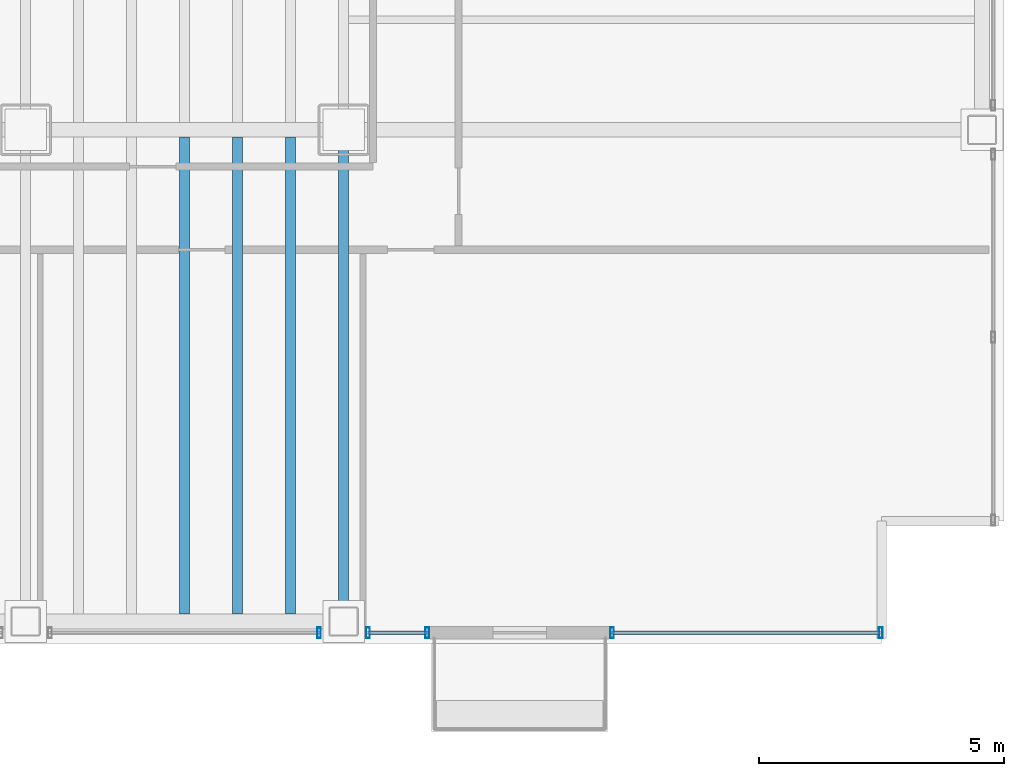
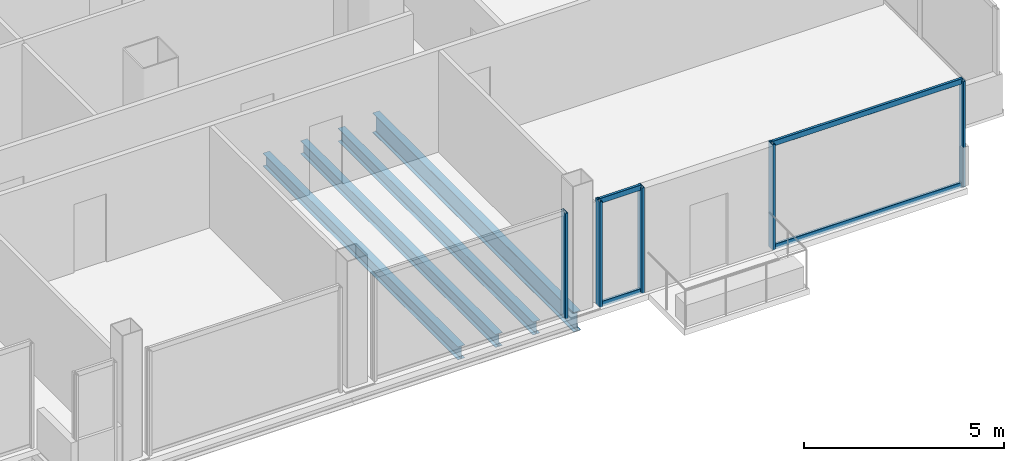
# One storey, part 9 of 22: 9 members, 4 beams, 3 elements without a shape of their own.
"""IFC4 building model written with IfcOpenShell, lengths in metres."""

from ifc_helpers import new_model, si_unit, direction, frame, origin, origin_2d, place, context, subcontext, project, spatial, hollow_rectangle, i_section, extrude, material, material_profile, profile_set, type_object, element, aggregate, save


model = new_model("IFC4")

# Units and contexts
model_context = context("Model", 3, precision=1e-05, world=origin(), true_north=direction((0.0, 1.0)))
body_context = subcontext(model_context, "Body", "Model", "MODEL_VIEW")
ifc_project = project(units=[si_unit("LENGTHUNIT", "METRE"), si_unit("AREAUNIT", "SQUARE_METRE"), si_unit("VOLUMEUNIT", "CUBIC_METRE"), si_unit("PLANEANGLEUNIT", "RADIAN"), si_unit("MASSUNIT", "GRAM", prefix="KILO")], contexts=[model_context])

# Site, building, storey
site_placement = place(None, origin())
site = spatial("IfcSite", under=ifc_project, at=site_placement, CompositionType="ELEMENT")
building_placement = place(site_placement, origin())
building = spatial("IfcBuilding", under=site, at=building_placement, Name="Noeulbin Bourse Tower", CompositionType="ELEMENT")
storey_placement = place(building_placement, frame((0.0, 0.0, 88.89990234375)))
storey = spatial("IfcBuildingStorey", under=building, at=storey_placement, Name="L22", CompositionType="ELEMENT", Elevation=88.89990234375)

# Beams
ifc_material_1 = material(Name="Steel S355", Category="steel")
ifc_material_profile_1 = material_profile(ifc_material_1, i_section(OverallWidth=0.199951171875, OverallDepth=0.60009765625, WebThickness=0.010986328125, FlangeThickness=0.01708984375, FilletRadius=0.02197265625, at=origin_2d()), Name="H-600x200x11x17", Category="LoadBearing")
ifc_profile_set_1 = profile_set([ifc_material_profile_1], Name="Steel S355")
beam_type_1 = type_object("IfcBeamType", Name="BM-GRD-600", PredefinedType="USERDEFINED", material=ifc_profile_set_1)
beam_placement = place(storey_placement, frame((44.0, 9.949951171875, -0.47998046875), z_axis=(0.0, 1.0, 0.0), x_axis=(-1.0, 0.0, 0.0)))
element("IfcBeam", 1, at=beam_placement, inside=storey, type_object=beam_type_1, Name="Tower Primary Girder NS L22-5.1", ObjectType="GIRDER", PredefinedType="USERDEFINED", context=body_context, shape_type="SweptSolid", body=[
    extrude(i_section(OverallWidth=0.199951171875, OverallDepth=0.60009765625, WebThickness=0.010986328125, FlangeThickness=0.01708984375, FilletRadius=0.02197265625, at=origin_2d()), origin(), (0.0, 0.0, 1.0), 10.050048828125),
])
ifc_material_profile_2 = material_profile(ifc_material_1, i_section(OverallWidth=0.199951171875, OverallDepth=0.39990234375, WebThickness=0.008056640625, FlangeThickness=0.012939453125, FilletRadius=0.01611328125, at=origin_2d()), Name="H-400x200x8x13", Category="LoadBearing")
ifc_profile_set_2 = profile_set([ifc_material_profile_2], Name="Steel S355")
beam_type_2 = type_object("IfcBeamType", Name="BM-SEC-400", PredefinedType="BEAM", material=ifc_profile_set_2)
for number, where, z_axis, x_axis, name in (
    (2, (40.75, 10.10009765625, -0.3798828125), (0.0, 1.0, 0.0), (-1.0, 0.0, 0.0), "Tower Composite Joist L22-61"),
    (3, (41.833251953125, 10.10009765625, -0.3798828125), (0.0, 1.0, 0.0), (-1.0, 0.0, 0.0), "Tower Composite Joist L22-64"),
    (4, (42.916748046875, 10.10009765625, -0.3798828125), (0.0, 1.0, 0.0), (-1.0, 0.0, 0.0), "Tower Composite Joist L22-67"),
):
    element("IfcBeam", number, at=place(storey_placement, frame(where, z_axis=z_axis, x_axis=x_axis)), inside=storey, type_object=beam_type_2, Name=name, PredefinedType="BEAM", context=body_context, shape_type="SweptSolid", body=[
        extrude(i_section(OverallWidth=0.199951171875, OverallDepth=0.39990234375, WebThickness=0.008056640625, FlangeThickness=0.012939453125, FilletRadius=0.01611328125, at=origin_2d()), origin(), (0.0, 0.0, 1.0), 9.75),
    ])

# Curtain wall, member
ifc_material_2 = material(Name="Dark Solar-Control Double Glazing", Category="glass")
curtain_wall_type = type_object("IfcCurtainWallType", Name="CW-SYS-2", PredefinedType="NOTDEFINED", material=ifc_material_2)
curtain_wall_1_placement = place(storey_placement, origin())
curtain_wall_1 = element("IfcCurtainWall", 5, at=curtain_wall_1_placement, inside=storey, type_object=curtain_wall_type, Name="Unitised Curtain Wall CW-L22-S2-S3", PredefinedType="NOTDEFINED")
ifc_material_3 = material(Name="Anodised Aluminium 6063-T6", Category="aluminium")
ifc_material_profile_3 = material_profile(ifc_material_3, hollow_rectangle(XDim=0.074951171875, YDim=0.219970703125, WallThickness=0.0048828125, InnerFilletRadius=0.00244140625, OuterFilletRadius=0.0048828125, at=origin_2d()), Name="ALU-MULL-75x220x5", Category="LoadBearing")
ifc_profile_set_3 = profile_set([ifc_material_profile_3], Name="Anodised Aluminium 6063-T6")
member_type_1 = type_object("IfcMemberType", Name="CW-SYS-2-MUL", PredefinedType="MULLION", material=ifc_profile_set_3)
member_1_placement = place(storey_placement, frame((43.5, 9.719970703125, -0.02001953125), z_axis=(0.0, 0.0, 1.0), x_axis=(1.0, 0.0, 0.0)))
member_1 = element("IfcMember", 6, at=member_1_placement, type_object=member_type_1, Name="Curtain Wall Mullion CW-L22-S2-S3-M01", PredefinedType="MULLION", context=body_context, shape_type="SweptSolid", body=[
    extrude(hollow_rectangle(XDim=0.074951171875, YDim=0.219970703125, WallThickness=0.0048828125, InnerFilletRadius=0.00244140625, OuterFilletRadius=0.0048828125, at=origin_2d()), origin(), (0.0, 0.0, 1.0), 3.22021484375),
])
aggregate(curtain_wall_1, [member_1])

# Curtain wall, members
curtain_wall_2_placement = place(storey_placement, origin())
curtain_wall_2 = element("IfcCurtainWall", 7, at=curtain_wall_2_placement, inside=storey, type_object=curtain_wall_type, Name="Unitised Curtain Wall CW-L22-S2-S4", PredefinedType="NOTDEFINED")
member_2_placement = place(storey_placement, frame((44.5, 9.719970703125, -0.02001953125), z_axis=(0.0, 0.0, 1.0), x_axis=(1.0, 0.0, 0.0)))
member_2 = element("IfcMember", 8, at=member_2_placement, type_object=member_type_1, Name="Curtain Wall Mullion CW-L22-S2-S4-M00", PredefinedType="MULLION", context=body_context, shape_type="SweptSolid", body=[
    extrude(hollow_rectangle(XDim=0.074951171875, YDim=0.219970703125, WallThickness=0.0048828125, InnerFilletRadius=0.00244140625, OuterFilletRadius=0.0048828125, at=origin_2d()), origin(), (0.0, 0.0, 1.0), 3.22021484375),
])
member_3_placement = place(storey_placement, frame((45.7099609375, 9.719970703125, -0.02001953125), z_axis=(0.0, 0.0, 1.0), x_axis=(1.0, 0.0, 0.0)))
member_3 = element("IfcMember", 9, at=member_3_placement, type_object=member_type_1, Name="Curtain Wall Mullion CW-L22-S2-S4-M01", PredefinedType="MULLION", context=body_context, shape_type="SweptSolid", body=[
    extrude(hollow_rectangle(XDim=0.074951171875, YDim=0.219970703125, WallThickness=0.0048828125, InnerFilletRadius=0.00244140625, OuterFilletRadius=0.0048828125, at=origin_2d()), origin(), (0.0, 0.0, 1.0), 3.22021484375),
])

curtain_wall_3_placement = place(storey_placement, origin())
curtain_wall_3 = element("IfcCurtainWall", 10, at=curtain_wall_3_placement, inside=storey, type_object=curtain_wall_type, Name="Unitised Curtain Wall CW-L22-S3", PredefinedType="NOTDEFINED")
member_4_placement = place(storey_placement, frame((49.489990234375, 9.719970703125, -0.02001953125), z_axis=(0.0, 0.0, 1.0), x_axis=(1.0, 0.0, 0.0)))
member_4 = element("IfcMember", 11, at=member_4_placement, type_object=member_type_1, Name="Curtain Wall Mullion CW-L22-S3-M00", PredefinedType="MULLION", context=body_context, shape_type="SweptSolid", body=[
    extrude(hollow_rectangle(XDim=0.074951171875, YDim=0.219970703125, WallThickness=0.0048828125, InnerFilletRadius=0.00244140625, OuterFilletRadius=0.0048828125, at=origin_2d()), origin(), (0.0, 0.0, 1.0), 3.22021484375),
])
member_5_placement = place(storey_placement, frame((54.97998046875, 9.719970703125, -0.02001953125), z_axis=(0.0, 0.0, 1.0), x_axis=(1.0, 0.0, 0.0)))
member_5 = element("IfcMember", 12, at=member_5_placement, type_object=member_type_1, Name="Curtain Wall Mullion CW-L22-S3-M01", PredefinedType="MULLION", context=body_context, shape_type="SweptSolid", body=[
    extrude(hollow_rectangle(XDim=0.074951171875, YDim=0.219970703125, WallThickness=0.0048828125, InnerFilletRadius=0.00244140625, OuterFilletRadius=0.0048828125, at=origin_2d()), origin(), (0.0, 0.0, 1.0), 3.22021484375),
])

# Member
ifc_material_profile_4 = material_profile(ifc_material_3, hollow_rectangle(XDim=0.074951171875, YDim=0.159912109375, WallThickness=0.0048828125, InnerFilletRadius=0.00244140625, OuterFilletRadius=0.0048828125, at=origin_2d()), Name="ALU-TRAN-75x160x5", Category="LoadBearing")
ifc_profile_set_4 = profile_set([ifc_material_profile_4], Name="Anodised Aluminium 6063-T6")
member_type_2 = type_object("IfcMemberType", Name="CW-SYS-2-TRN", PredefinedType="USERDEFINED", material=ifc_profile_set_4)
member_6_placement = place(storey_placement, frame((44.510009765625, 9.719970703125, 0.010009765625), z_axis=(1.0, 0.0, 0.0), x_axis=(0.0, 1.0, 0.0)))
member_6 = element("IfcMember", 13, at=member_6_placement, type_object=member_type_2, Name="Curtain Wall Transom CW-L22-S2-S4-T00", ObjectType="TRANSOM", PredefinedType="USERDEFINED", context=body_context, shape_type="SweptSolid", body=[
    extrude(hollow_rectangle(XDim=0.074951171875, YDim=0.159912109375, WallThickness=0.0048828125, InnerFilletRadius=0.00244140625, OuterFilletRadius=0.0048828125, at=origin_2d()), origin(), (0.0, 0.0, 1.0), 1.18994140625),
])

member_7_placement = place(storey_placement, frame((44.510009765625, 9.719970703125, 3.170166015625), z_axis=(1.0, 0.0, 0.0), x_axis=(0.0, 1.0, 0.0)))
member_7 = element("IfcMember", 14, at=member_7_placement, type_object=member_type_2, Name="Curtain Wall Transom CW-L22-S2-S4-T01", ObjectType="TRANSOM", PredefinedType="USERDEFINED", context=body_context, shape_type="SweptSolid", body=[
    extrude(hollow_rectangle(XDim=0.074951171875, YDim=0.159912109375, WallThickness=0.0048828125, InnerFilletRadius=0.00244140625, OuterFilletRadius=0.0048828125, at=origin_2d()), origin(), (0.0, 0.0, 1.0), 1.18994140625),
])

aggregate(curtain_wall_2, [member_2, member_3, member_6, member_7])

member_8_placement = place(storey_placement, frame((49.5, 9.719970703125, 0.010009765625), z_axis=(1.0, 0.0, 0.0), x_axis=(0.0, 1.0, 0.0)))
member_8 = element("IfcMember", 15, at=member_8_placement, type_object=member_type_2, Name="Curtain Wall Transom CW-L22-S3-T00", ObjectType="TRANSOM", PredefinedType="USERDEFINED", context=body_context, shape_type="SweptSolid", body=[
    extrude(hollow_rectangle(XDim=0.074951171875, YDim=0.159912109375, WallThickness=0.0048828125, InnerFilletRadius=0.00244140625, OuterFilletRadius=0.0048828125, at=origin_2d()), origin(), (0.0, 0.0, 1.0), 5.469970703125),
])

member_9_placement = place(storey_placement, frame((49.5, 9.719970703125, 3.170166015625), z_axis=(1.0, 0.0, 0.0), x_axis=(0.0, 1.0, 0.0)))
member_9 = element("IfcMember", 16, at=member_9_placement, type_object=member_type_2, Name="Curtain Wall Transom CW-L22-S3-T01", ObjectType="TRANSOM", PredefinedType="USERDEFINED", context=body_context, shape_type="SweptSolid", body=[
    extrude(hollow_rectangle(XDim=0.074951171875, YDim=0.159912109375, WallThickness=0.0048828125, InnerFilletRadius=0.00244140625, OuterFilletRadius=0.0048828125, at=origin_2d()), origin(), (0.0, 0.0, 1.0), 5.469970703125),
])

aggregate(curtain_wall_3, [member_4, member_5, member_8, member_9])

save(model, "model.ifc")
